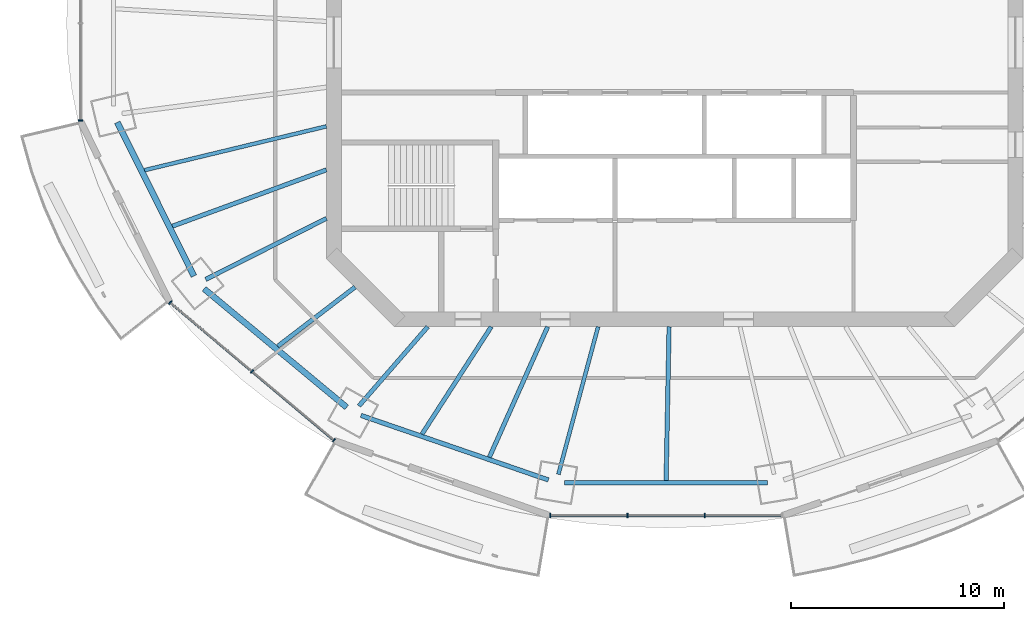
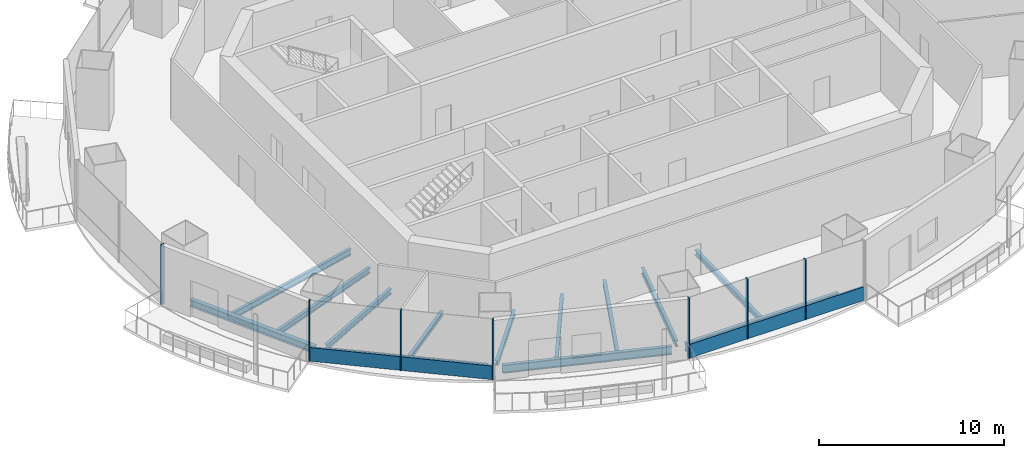
# One storey, part 2 of 16: 13 beams, 9 members, 3 elements without a shape of their own.
"""IFC4 building model written with IfcOpenShell, lengths in metres."""

from ifc_helpers import new_model, si_unit, direction, frame, origin, origin_2d, place, context, subcontext, project, spatial, rectangle, i_section, extrude, material, material_profile, profile_set, type_object, element, aggregate, save


model = new_model("IFC4")

# Units and contexts
model_context = context("Model", 3, precision=1e-05, world=origin(), true_north=direction((0.0, 1.0)))
body_context = subcontext(model_context, "Body", "Model", "MODEL_VIEW")
ifc_project = project(units=[si_unit("LENGTHUNIT", "METRE"), si_unit("AREAUNIT", "SQUARE_METRE"), si_unit("VOLUMEUNIT", "CUBIC_METRE"), si_unit("PLANEANGLEUNIT", "RADIAN"), si_unit("MASSUNIT", "GRAM", prefix="KILO")], contexts=[model_context])

# Site, building, storey
site_placement = place(None, origin())
site = spatial("IfcSite", under=ifc_project, at=site_placement, CompositionType="ELEMENT")
building_placement = place(site_placement, origin())
building = spatial("IfcBuilding", under=site, at=building_placement, Name="Marenthal Gate Tower", CompositionType="ELEMENT")
storey_placement = place(building_placement, frame((0.0, 0.0, 317.699951171875)))
storey = spatial("IfcBuildingStorey", under=building, at=storey_placement, Name="L71", CompositionType="ELEMENT", Elevation=317.699951171875)

# Curtain wall, member
ifc_material_1 = material(Name="Aluminium and glass", Category="aluminium")
curtain_wall_type = type_object("IfcCurtainWallType", Name="Curtain wall typical high", PredefinedType="NOTDEFINED", material=ifc_material_1)
curtain_wall_1_placement = place(storey_placement, origin())
curtain_wall_1 = element("IfcCurtainWall", 1, at=curtain_wall_1_placement, inside=storey, type_object=curtain_wall_type, Name="Curtain wall L71 bay 8", PredefinedType="NOTDEFINED")
ifc_material_2 = material(Name="Aluminium", Category="aluminium")
ifc_material_profile_1 = material_profile(ifc_material_2, rectangle(XDim=0.199951171875, YDim=0.06005859375, at=origin_2d()), Name="60x200 aluminium mullion")
ifc_profile_set_1 = profile_set([ifc_material_profile_1], Name="Aluminium")
member_type_1 = type_object("IfcMemberType", Name="Mullion 60x200 typical high", PredefinedType="MULLION", material=ifc_profile_set_1)
member_1_placement = place(storey_placement, frame((-27.895263671875, -3.668701171875, 0.0), z_axis=(0.0, 0.0, 1.0), x_axis=(1.0, 0.0, 0.0)))
member_1 = element("IfcMember", 2, at=member_1_placement, type_object=member_type_1, Name="Mullion L71 bay 8.3", PredefinedType="MULLION", context=body_context, shape_type="SweptSolid", body=[
    extrude(rectangle(XDim=0.199951171875, YDim=0.06005859375, at=origin_2d()), origin(), (0.0, 0.0, 1.0), 3.969970703125),
])
aggregate(curtain_wall_1, [member_1])

# Curtain wall, members
curtain_wall_2_placement = place(storey_placement, origin())
curtain_wall_2 = element("IfcCurtainWall", 3, at=curtain_wall_2_placement, inside=storey, type_object=curtain_wall_type, Name="Curtain wall L71 bay 10", PredefinedType="NOTDEFINED")
member_2_placement = place(storey_placement, frame((-23.6865234375, -12.215087890625, 0.0), z_axis=(0.0, 0.0, 1.0), x_axis=(0.643570293048, 0.765387011848, 0.0)))
member_2 = element("IfcMember", 4, at=member_2_placement, type_object=member_type_1, Name="Mullion L71 bay 10.1", PredefinedType="MULLION", context=body_context, shape_type="SweptSolid", body=[
    extrude(rectangle(XDim=0.199951171875, YDim=0.06005859375, at=origin_2d()), origin(), (0.0, 0.0, 1.0), 3.969970703125),
])
member_3_placement = place(storey_placement, frame((-19.842041015625, -15.44775390625, 0.0), z_axis=(0.0, 0.0, 1.0), x_axis=(0.643570293048, 0.765387011848, 0.0)))
member_3 = element("IfcMember", 5, at=member_3_placement, type_object=member_type_1, Name="Mullion L71 bay 10.2", PredefinedType="MULLION", context=body_context, shape_type="SweptSolid", body=[
    extrude(rectangle(XDim=0.199951171875, YDim=0.06005859375, at=origin_2d()), origin(), (0.0, 0.0, 1.0), 3.969970703125),
])
member_4_placement = place(storey_placement, frame((-15.997802734375, -18.68017578125, 0.0), z_axis=(0.0, 0.0, 1.0), x_axis=(0.643570293048, 0.765387011848, 0.0)))
member_4 = element("IfcMember", 6, at=member_4_placement, type_object=member_type_1, Name="Mullion L71 bay 10.3", PredefinedType="MULLION", context=body_context, shape_type="SweptSolid", body=[
    extrude(rectangle(XDim=0.199951171875, YDim=0.06005859375, at=origin_2d()), origin(), (0.0, 0.0, 1.0), 3.969970703125),
])

curtain_wall_3_placement = place(storey_placement, origin())
curtain_wall_3 = element("IfcCurtainWall", 7, at=curtain_wall_3_placement, inside=storey, type_object=curtain_wall_type, Name="Curtain wall L71 bay 12", PredefinedType="NOTDEFINED")
member_5_placement = place(storey_placement, frame((-5.839111328125, -22.218994140625, 0.0), z_axis=(0.0, 0.0, 1.0), x_axis=(0.0, 1.0, 0.0)))
member_5 = element("IfcMember", 8, at=member_5_placement, type_object=member_type_1, Name="Mullion L71 bay 12.1", PredefinedType="MULLION", context=body_context, shape_type="SweptSolid", body=[
    extrude(rectangle(XDim=0.199951171875, YDim=0.06005859375, at=origin_2d()), origin(), (0.0, 0.0, 1.0), 3.969970703125),
])
member_6_placement = place(storey_placement, frame((-2.213134765625, -22.218994140625, 0.0), z_axis=(0.0, 0.0, 1.0), x_axis=(0.0, 1.0, 0.0)))
member_6 = element("IfcMember", 9, at=member_6_placement, type_object=member_type_1, Name="Mullion L71 bay 12.2", PredefinedType="MULLION", context=body_context, shape_type="SweptSolid", body=[
    extrude(rectangle(XDim=0.199951171875, YDim=0.06005859375, at=origin_2d()), origin(), (0.0, 0.0, 1.0), 3.969970703125),
])
member_7_placement = place(storey_placement, frame((1.4130859375, -22.218994140625, 0.0), z_axis=(0.0, 0.0, 1.0), x_axis=(0.0, 1.0, 0.0)))
member_7 = element("IfcMember", 10, at=member_7_placement, type_object=member_type_1, Name="Mullion L71 bay 12.3", PredefinedType="MULLION", context=body_context, shape_type="SweptSolid", body=[
    extrude(rectangle(XDim=0.199951171875, YDim=0.06005859375, at=origin_2d()), origin(), (0.0, 0.0, 1.0), 3.969970703125),
])

# Member
ifc_material_3 = material(Name="Aluminium", Category="aluminium")
ifc_material_profile_2 = material_profile(ifc_material_3, rectangle(XDim=0.1201171875, YDim=0.89990234375, at=origin_2d()), Name="120x900 aluminium transom")
ifc_profile_set_2 = profile_set([ifc_material_profile_2], Name="Aluminium")
member_type_2 = type_object("IfcMemberType", Name="Transom 120x900 typical high", PredefinedType="USERDEFINED", material=ifc_profile_set_2)
member_8_placement = place(storey_placement, frame((-23.66357421875, -12.234619140625, 0.449951171875), z_axis=(0.765406153231, -0.643547527845, 0.0), x_axis=(0.643547527845, 0.765406153231, 0.0)))
member_8 = element("IfcMember", 11, at=member_8_placement, type_object=member_type_2, Name="Transom L71 bay 10", ObjectType="TRANSOM", PredefinedType="USERDEFINED", context=body_context, shape_type="SweptSolid", body=[
    extrude(rectangle(XDim=0.1201171875, YDim=0.89990234375, at=origin_2d()), origin(), (0.0, 0.0, 1.0), 9.9853515625),
])

aggregate(curtain_wall_2, [member_2, member_3, member_4, member_8])

member_9_placement = place(storey_placement, frame((-5.80908203125, -22.218994140625, 0.449951171875), z_axis=(1.0, 0.0, 0.0), x_axis=(0.0, 1.0, 0.0)))
member_9 = element("IfcMember", 12, at=member_9_placement, type_object=member_type_2, Name="Transom L71 bay 12", ObjectType="TRANSOM", PredefinedType="USERDEFINED", context=body_context, shape_type="SweptSolid", body=[
    extrude(rectangle(XDim=0.1201171875, YDim=0.89990234375, at=origin_2d()), origin(), (0.0, 0.0, 1.0), 10.818359375),
])

aggregate(curtain_wall_3, [member_5, member_6, member_7, member_9])

# Beams
ifc_material_4 = material(Name="Steel S355", Category="steel")
ifc_material_profile_3 = material_profile(ifc_material_4, i_section(OverallWidth=0.202880859375, OverallDepth=0.302001953125, WebThickness=0.007568359375, FlangeThickness=0.01318359375, FilletRadius=0.0126953125, at=origin_2d()), Name="W310X60")
ifc_profile_set_3 = profile_set([ifc_material_profile_3], Name="Steel S355")
beam_type_1 = type_object("IfcBeamType", Name="W310X60 beam", PredefinedType="BEAM", material=ifc_profile_set_3)
beam_1_placement = place(storey_placement, frame((-18.6328125, -14.264892578125, -0.3310546875), z_axis=(0.794020874195, 0.607890492887, 0.0), x_axis=(-0.607890492887, 0.794020874195, 0.0)))
element("IfcBeam", 13, at=beam_1_placement, inside=storey, type_object=beam_type_1, Name="BM-L71-31", PredefinedType="BEAM", context=body_context, shape_type="SweptSolid", body=[
    extrude(i_section(OverallWidth=0.202880859375, OverallDepth=0.302001953125, WebThickness=0.007568359375, FlangeThickness=0.01318359375, FilletRadius=0.0126953125, at=origin_2d()), origin(), (0.0, 0.0, 1.0), 4.567138671875),
])
beam_2_placement = place(storey_placement, frame((-11.859130859375, -18.388427734375, -0.3310546875), z_axis=(0.542006284821, 0.840374432747, 0.0), x_axis=(-0.840374432747, 0.542006284821, 0.0)))
element("IfcBeam", 14, at=beam_2_placement, inside=storey, type_object=beam_type_1, Name="BM-L71-32", PredefinedType="BEAM", context=body_context, shape_type="SweptSolid", body=[
    extrude(i_section(OverallWidth=0.202880859375, OverallDepth=0.302001953125, WebThickness=0.007568359375, FlangeThickness=0.01318359375, FilletRadius=0.0126953125, at=origin_2d()), origin(), (0.0, 0.0, 1.0), 5.995361328125),
])
ifc_material_5 = material(Name="Steel S355", Category="steel")
ifc_material_profile_4 = material_profile(ifc_material_5, i_section(OverallWidth=0.205078125, OverallDepth=0.31005859375, WebThickness=0.009521484375, FlangeThickness=0.016357421875, FilletRadius=0.0126953125, at=origin_2d()), Name="W310X74")
ifc_profile_set_4 = profile_set([ifc_material_profile_4], Name="Steel S355")
beam_type_2 = type_object("IfcBeamType", Name="W310X74 beam", PredefinedType="BEAM", material=ifc_profile_set_4)
beam_3_placement = place(storey_placement, frame((-14.82177734375, -17.068603515625, -0.3349609375), z_axis=(0.655688886477, 0.755031180913, 0.0), x_axis=(-0.755031180913, 0.655688886477, 0.0)))
element("IfcBeam", 15, at=beam_3_placement, inside=storey, type_object=beam_type_2, Name="BM-L71-11", PredefinedType="BEAM", context=body_context, shape_type="SweptSolid", body=[
    extrude(i_section(OverallWidth=0.205078125, OverallDepth=0.31005859375, WebThickness=0.009521484375, FlangeThickness=0.016357421875, FilletRadius=0.0126953125, at=origin_2d()), origin(), (0.0, 0.0, 1.0), 4.925048828125),
])
beam_4_placement = place(storey_placement, frame((-8.6962890625, -19.477783203125, -0.3349609375), z_axis=(0.407683883714, 0.913123130229, 0.0), x_axis=(-0.913123130229, 0.407683883714, 0.0)))
element("IfcBeam", 16, at=beam_4_placement, inside=storey, type_object=beam_type_2, Name="BM-L71-33", PredefinedType="BEAM", context=body_context, shape_type="SweptSolid", body=[
    extrude(i_section(OverallWidth=0.205078125, OverallDepth=0.31005859375, WebThickness=0.009521484375, FlangeThickness=0.016357421875, FilletRadius=0.0126953125, at=origin_2d()), origin(), (0.0, 0.0, 1.0), 6.710693359375),
])
ifc_material_6 = material(Name="Steel S355", Category="steel")
ifc_material_profile_5 = material_profile(ifc_material_6, i_section(OverallWidth=0.205078125, OverallDepth=0.35302734375, WebThickness=0.009521484375, FlangeThickness=0.016845703125, FilletRadius=0.014892578125, at=origin_2d()), Name="W360X79")
ifc_profile_set_5 = profile_set([ifc_material_profile_5], Name="Steel S355")
beam_type_3 = type_object("IfcBeamType", Name="W360X79 beam", PredefinedType="BEAM", material=ifc_profile_set_5)
beam_5_placement = place(storey_placement, frame((-22.020751953125, -11.128662109375, -0.3564453125), z_axis=(0.89248995242, 0.451067273064, 0.0), x_axis=(-0.451067273064, 0.89248995242, 0.0)))
element("IfcBeam", 17, at=beam_5_placement, inside=storey, type_object=beam_type_3, Name="BM-L71-10", PredefinedType="BEAM", context=body_context, shape_type="SweptSolid", body=[
    extrude(i_section(OverallWidth=0.205078125, OverallDepth=0.35302734375, WebThickness=0.009521484375, FlangeThickness=0.016845703125, FilletRadius=0.014892578125, at=origin_2d()), origin(), (0.0, 0.0, 1.0), 6.353759765625),
])
beam_6_placement = place(storey_placement, frame((-23.58056640625, -8.627197265625, -0.3564453125), z_axis=(0.939124099885, 0.343578120687, 0.0), x_axis=(-0.343578120687, 0.939124099885, 0.0)))
element("IfcBeam", 18, at=beam_6_placement, inside=storey, type_object=beam_type_3, Name="BM-L71-30", PredefinedType="BEAM", context=body_context, shape_type="SweptSolid", body=[
    extrude(i_section(OverallWidth=0.205078125, OverallDepth=0.35302734375, WebThickness=0.009521484375, FlangeThickness=0.016845703125, FilletRadius=0.014892578125, at=origin_2d()), origin(), (0.0, 0.0, 1.0), 7.69921875),
])
beam_7_placement = place(storey_placement, frame((-0.39794921875, -20.5634765625, -0.3564453125), z_axis=(0.019356015655, 0.99981265478, 0.0), x_axis=(-0.99981265478, 0.019356015655, 0.0)))
element("IfcBeam", 19, at=beam_7_placement, inside=storey, type_object=beam_type_3, Name="BM-L71-34", PredefinedType="BEAM", context=body_context, shape_type="SweptSolid", body=[
    extrude(i_section(OverallWidth=0.205078125, OverallDepth=0.35302734375, WebThickness=0.009521484375, FlangeThickness=0.016845703125, FilletRadius=0.014892578125, at=origin_2d()), origin(), (0.0, 0.0, 1.0), 7.21484375),
])
ifc_material_7 = material(Name="Steel S355", Category="steel")
ifc_material_profile_6 = material_profile(ifc_material_7, i_section(OverallWidth=0.180908203125, OverallDepth=0.4169921875, WebThickness=0.010986328125, FlangeThickness=0.018310546875, FilletRadius=0.01025390625, at=origin_2d()), Name="W410X85")
ifc_profile_set_6 = profile_set([ifc_material_profile_6], Name="Steel S355")
beam_type_4 = type_object("IfcBeamType", Name="W410X85 beam", PredefinedType="BEAM", material=ifc_profile_set_6)
beam_8_placement = place(storey_placement, frame((-5.455810546875, -20.27880859375, -0.388427734375), z_axis=(0.25979043101, 0.965665020572, 0.0), x_axis=(-0.965665020572, 0.25979043101, 0.0)))
element("IfcBeam", 20, at=beam_8_placement, inside=storey, type_object=beam_type_4, Name="BM-L71-12", PredefinedType="BEAM", context=body_context, shape_type="SweptSolid", body=[
    extrude(i_section(OverallWidth=0.180908203125, OverallDepth=0.4169921875, WebThickness=0.010986328125, FlangeThickness=0.018310546875, FilletRadius=0.01025390625, at=origin_2d()), origin(), (0.0, 0.0, 1.0), 7.175048828125),
])
beam_9_placement = place(storey_placement, frame((-24.889892578125, -5.99951171875, -0.388427734375), z_axis=(0.972153206596, 0.234346203094, 0.0), x_axis=(-0.234346203094, 0.972153206596, 0.0)))
element("IfcBeam", 21, at=beam_9_placement, inside=storey, type_object=beam_type_4, Name="BM-L71-29", PredefinedType="BEAM", context=body_context, shape_type="SweptSolid", body=[
    extrude(i_section(OverallWidth=0.180908203125, OverallDepth=0.4169921875, WebThickness=0.010986328125, FlangeThickness=0.018310546875, FilletRadius=0.01025390625, at=origin_2d()), origin(), (0.0, 0.0, 1.0), 8.784423828125),
])
ifc_material_8 = material(Name="Steel S355", Category="steel")
ifc_material_profile_7 = material_profile(ifc_material_8, i_section(OverallWidth=0.279052734375, OverallDepth=0.4619140625, WebThickness=0.0107421875, FlangeThickness=0.017333984375, FilletRadius=0.010009765625, at=origin_2d()), Name="W460X113")
ifc_profile_set_7 = profile_set([ifc_material_profile_7], Name="Steel S355")
beam_type_5 = type_object("IfcBeamType", Name="W460X113 beam", PredefinedType="BEAM", material=ifc_profile_set_7)
beam_10_placement = place(storey_placement, frame((-26.168212890625, -3.746826171875, -0.410888671875), z_axis=(0.445977873853, -0.89504398553, 0.0), x_axis=(0.89504398553, 0.445977873853, 0.0)))
element("IfcBeam", 22, at=beam_10_placement, inside=storey, type_object=beam_type_5, Name="BM-L71-49", PredefinedType="BEAM", context=body_context, shape_type="SweptSolid", body=[
    extrude(i_section(OverallWidth=0.279052734375, OverallDepth=0.4619140625, WebThickness=0.0107421875, FlangeThickness=0.017333984375, FilletRadius=0.010009765625, at=origin_2d()), origin(), (0.0, 0.0, 1.0), 8.063720703125),
])
beam_11_placement = place(storey_placement, frame((-22.093505859375, -11.5693359375, -0.410888671875), z_axis=(0.768988287229, -0.639262867767, 0.0), x_axis=(0.639262867767, 0.768988287229, 0.0)))
element("IfcBeam", 23, at=beam_11_placement, inside=storey, type_object=beam_type_5, Name="BM-L71-50", PredefinedType="BEAM", context=body_context, shape_type="SweptSolid", body=[
    extrude(i_section(OverallWidth=0.279052734375, OverallDepth=0.4619140625, WebThickness=0.0107421875, FlangeThickness=0.017333984375, FilletRadius=0.010009765625, at=origin_2d()), origin(), (0.0, 0.0, 1.0), 8.7080078125),
])
ifc_material_9 = material(Name="Steel S355", Category="steel")
ifc_material_profile_8 = material_profile(ifc_material_9, i_section(OverallWidth=0.2119140625, OverallDepth=0.5439453125, WebThickness=0.01318359375, FlangeThickness=0.021240234375, FilletRadius=0.0126953125, at=origin_2d()), Name="W530X123")
ifc_profile_set_8 = profile_set([ifc_material_profile_8], Name="Steel S355")
beam_type_6 = type_object("IfcBeamType", Name="W530X123 beam", PredefinedType="BEAM", material=ifc_profile_set_8)
beam_12_placement = place(storey_placement, frame((-14.729736328125, -17.51220703125, -0.451904296875), z_axis=(0.945516412895, -0.325574435338, 0.0), x_axis=(0.325574435338, 0.945516412895, 0.0)))
element("IfcBeam", 24, at=beam_12_placement, inside=storey, type_object=beam_type_6, Name="BM-L71-51", PredefinedType="BEAM", context=body_context, shape_type="SweptSolid", body=[
    extrude(i_section(OverallWidth=0.2119140625, OverallDepth=0.5439453125, WebThickness=0.01318359375, FlangeThickness=0.021240234375, FilletRadius=0.0126953125, at=origin_2d()), origin(), (0.0, 0.0, 1.0), 9.309814453125),
])
beam_13_placement = place(storey_placement, frame((-5.174072265625, -20.66943359375, -0.451904296875), z_axis=(1.0, 0.0, 0.0), x_axis=(0.0, 1.0, 0.0)))
element("IfcBeam", 25, at=beam_13_placement, inside=storey, type_object=beam_type_6, Name="BM-L71-52", PredefinedType="BEAM", context=body_context, shape_type="SweptSolid", body=[
    extrude(i_section(OverallWidth=0.2119140625, OverallDepth=0.5439453125, WebThickness=0.01318359375, FlangeThickness=0.021240234375, FilletRadius=0.0126953125, at=origin_2d()), origin(), (0.0, 0.0, 1.0), 9.548095703125),
])

save(model, "model.ifc")
